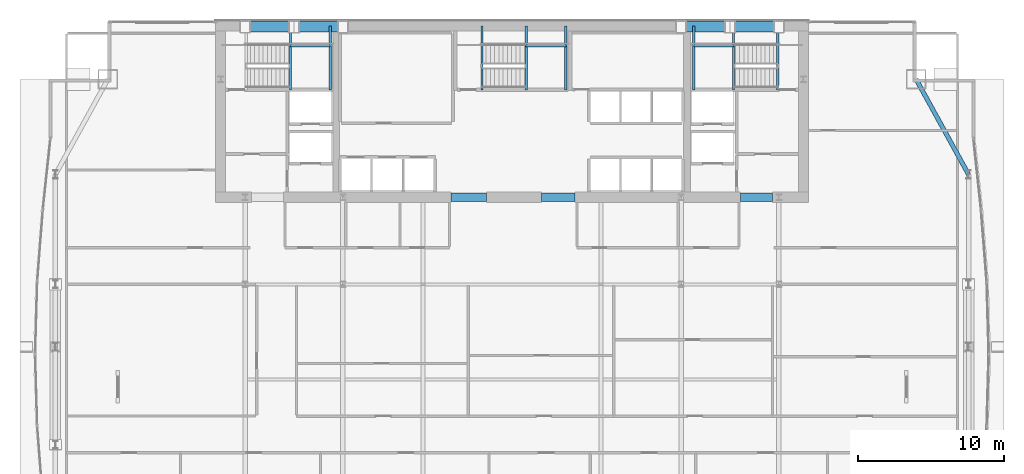
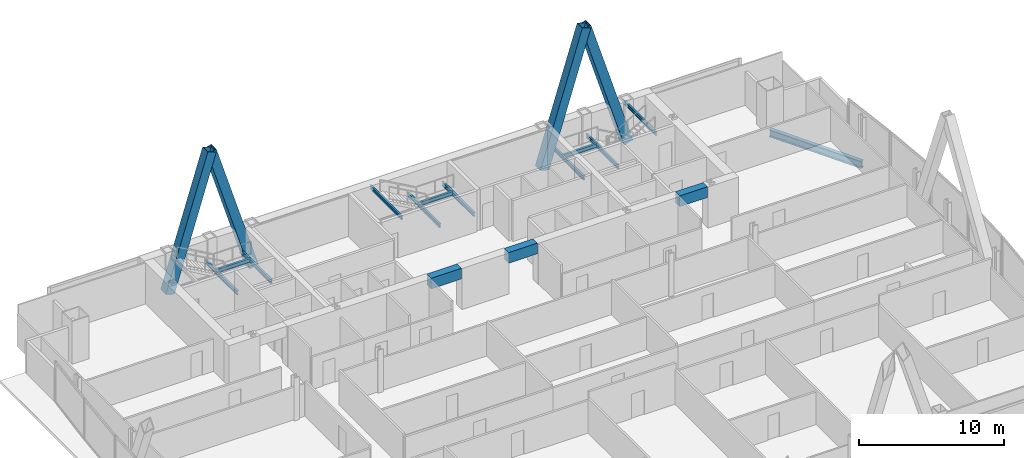
# One storey, part 18 of 30: 15 beams, 4 members.
"""IFC4 building model written with IfcOpenShell, lengths in metres."""

from ifc_helpers import new_model, si_unit, direction, frame, origin, origin_2d, place, context, subcontext, project, spatial, rectangle, hollow_rectangle, i_section, extrude, material, material_profile, profile_set, type_object, element, save


model = new_model("IFC4")

# Units and contexts
model_context = context("Model", 3, precision=1e-05, world=origin(), true_north=direction((0.0, 1.0)))
body_context = subcontext(model_context, "Body", "Model", "MODEL_VIEW")
ifc_project = project(units=[si_unit("LENGTHUNIT", "METRE"), si_unit("AREAUNIT", "SQUARE_METRE"), si_unit("VOLUMEUNIT", "CUBIC_METRE"), si_unit("PLANEANGLEUNIT", "RADIAN"), si_unit("MASSUNIT", "GRAM", prefix="KILO")], contexts=[model_context])

# Site, building, storey
site_placement = place(None, origin())
site = spatial("IfcSite", under=ifc_project, at=site_placement, CompositionType="ELEMENT")
building_placement = place(site_placement, origin())
building = spatial("IfcBuilding", under=site, at=building_placement, Name="Khoronbel Lancet Exchange", CompositionType="ELEMENT")
storey_placement = place(building_placement, frame((0.0, 0.0, 136.199951171875)))
storey = spatial("IfcBuildingStorey", under=building, at=storey_placement, Name="L33", CompositionType="ELEMENT", Elevation=136.199951171875)

# Beams
ifc_material_1 = material(Name="Steel S355", Category="steel")
ifc_material_profile_1 = material_profile(ifc_material_1, i_section(OverallWidth=0.159912109375, OverallDepth=0.330078125, WebThickness=0.007568359375, FlangeThickness=0.011474609375, at=origin_2d()), Name="IPE 330")
ifc_profile_set_1 = profile_set([ifc_material_profile_1], Name="Steel S355")
beam_type_1 = type_object("IfcBeamType", Name="BM-BJ7", PredefinedType="JOIST", material=ifc_profile_set_1)
for number, where, z_axis, x_axis, name in (
    (1, (21.320068359375, 48.97998046875, 1.43505859375), (0.0, 1.0, 0.0), (-1.0, 0.0, 0.0), "Level L33 stair ST1 landing bearer beam 1"),
    (2, (24.030029296875, 48.97998046875, 1.43505859375), (0.0, 1.0, 0.0), (-1.0, 0.0, 0.0), "Level L33 stair ST1 rear landing bearer beam 1"),
):
    element("IfcBeam", number, at=place(storey_placement, frame(where, z_axis=z_axis, x_axis=x_axis)), inside=storey, type_object=beam_type_1, Name=name, PredefinedType="JOIST", context=body_context, shape_type="SweptSolid", body=[
        extrude(i_section(OverallWidth=0.159912109375, OverallDepth=0.330078125, WebThickness=0.007568359375, FlangeThickness=0.011474609375, at=origin_2d()), origin(), (0.0, 0.0, 1.0), 4.3701171875),
    ])
beam_1_placement = place(storey_placement, frame((21.320068359375, 51.97998046875, 1.43505859375), z_axis=(1.0, 0.0, 0.0), x_axis=(0.0, 1.0, 0.0)))
element("IfcBeam", 3, at=beam_1_placement, inside=storey, type_object=beam_type_1, Name="Level L33 stair ST1 landing cross trimmer beam 1", PredefinedType="JOIST", context=body_context, shape_type="SweptSolid", body=[
    extrude(i_section(OverallWidth=0.159912109375, OverallDepth=0.330078125, WebThickness=0.007568359375, FlangeThickness=0.011474609375, at=origin_2d()), origin(), (0.0, 0.0, 1.0), 2.7099609375),
])
for number, where, z_axis, x_axis, name in (
    (4, (51.580078125, 48.97998046875, 1.43505859375), (0.0, 1.0, 0.0), (-1.0, 0.0, 0.0), "Level L33 stair ST2 landing bearer beam 1"),
    (5, (48.8701171875, 48.97998046875, 1.43505859375), (0.0, 1.0, 0.0), (-1.0, 0.0, 0.0), "Level L33 stair ST2 rear landing bearer beam 1"),
):
    element("IfcBeam", number, at=place(storey_placement, frame(where, z_axis=z_axis, x_axis=x_axis)), inside=storey, type_object=beam_type_1, Name=name, PredefinedType="JOIST", context=body_context, shape_type="SweptSolid", body=[
        extrude(i_section(OverallWidth=0.159912109375, OverallDepth=0.330078125, WebThickness=0.007568359375, FlangeThickness=0.011474609375, at=origin_2d()), origin(), (0.0, 0.0, 1.0), 4.3701171875),
    ])
beam_2_placement = place(storey_placement, frame((48.8701171875, 51.97998046875, 1.43505859375), z_axis=(1.0, 0.0, 0.0), x_axis=(0.0, 1.0, 0.0)))
element("IfcBeam", 6, at=beam_2_placement, inside=storey, type_object=beam_type_1, Name="Level L33 stair ST2 landing cross trimmer beam 1", PredefinedType="JOIST", context=body_context, shape_type="SweptSolid", body=[
    extrude(i_section(OverallWidth=0.159912109375, OverallDepth=0.330078125, WebThickness=0.007568359375, FlangeThickness=0.011474609375, at=origin_2d()), origin(), (0.0, 0.0, 1.0), 2.7099609375),
])
for number, where, z_axis, x_axis, name in (
    (7, (37.419921875, 48.97998046875, 1.43505859375), (0.0, 1.0, 0.0), (-1.0, 0.0, 0.0), "Level L33 stair ST3 landing bearer beam 1"),
    (8, (40.1298828125, 48.97998046875, 1.43505859375), (0.0, 1.0, 0.0), (-1.0, 0.0, 0.0), "Level L33 stair ST3 rear landing bearer beam 1"),
):
    element("IfcBeam", number, at=place(storey_placement, frame(where, z_axis=z_axis, x_axis=x_axis)), inside=storey, type_object=beam_type_1, Name=name, PredefinedType="JOIST", context=body_context, shape_type="SweptSolid", body=[
        extrude(i_section(OverallWidth=0.159912109375, OverallDepth=0.330078125, WebThickness=0.007568359375, FlangeThickness=0.011474609375, at=origin_2d()), origin(), (0.0, 0.0, 1.0), 4.3701171875),
    ])
beam_3_placement = place(storey_placement, frame((37.419921875, 51.97998046875, 1.43505859375), z_axis=(1.0, 0.0, 0.0), x_axis=(0.0, 1.0, 0.0)))
element("IfcBeam", 9, at=beam_3_placement, inside=storey, type_object=beam_type_1, Name="Level L33 stair ST3 landing cross trimmer beam 1", PredefinedType="JOIST", context=body_context, shape_type="SweptSolid", body=[
    extrude(i_section(OverallWidth=0.159912109375, OverallDepth=0.330078125, WebThickness=0.007568359375, FlangeThickness=0.011474609375, at=origin_2d()), origin(), (0.0, 0.0, 1.0), 2.7099609375),
])
ifc_material_profile_2 = material_profile(ifc_material_1, i_section(OverallWidth=0.14990234375, OverallDepth=0.300048828125, WebThickness=0.007080078125, FlangeThickness=0.0107421875, at=origin_2d()), Name="IPE 300")
ifc_profile_set_2 = profile_set([ifc_material_profile_2], Name="Steel S355")
beam_type_2 = type_object("IfcBeamType", Name="BM-BJ8", PredefinedType="JOIST", material=ifc_profile_set_2)
for number, where, z_axis, x_axis, name in (
    (10, (54.60009765625, 48.97998046875, 3.16015625), (0.0, 1.0, 0.0), (-1.0, 0.0, 0.0), "Level L33 stair ST2 upper-flight arrival trimmer beam"),
    (11, (34.39990234375, 48.97998046875, 3.16015625), (0.0, 1.0, 0.0), (-1.0, 0.0, 0.0), "Level L33 stair ST3 upper-flight arrival trimmer beam"),
):
    element("IfcBeam", number, at=place(storey_placement, frame(where, z_axis=z_axis, x_axis=x_axis)), inside=storey, type_object=beam_type_2, Name=name, PredefinedType="JOIST", context=body_context, shape_type="SweptSolid", body=[
        extrude(i_section(OverallWidth=0.14990234375, OverallDepth=0.300048828125, WebThickness=0.007080078125, FlangeThickness=0.0107421875, at=origin_2d()), origin(), (0.0, 0.0, 1.0), 4.3701171875),
    ])
ifc_material_2 = material(Name="Concrete C80/95", Category="concrete")
ifc_material_profile_3 = material_profile(ifc_material_2, rectangle(XDim=0.60009765625, YDim=0.89990234375, at=origin_2d()), Name="RC 600x900")
ifc_profile_set_3 = profile_set([ifc_material_profile_3], Name="Concrete C80/95")
beam_type_3 = type_object("IfcBeamType", Name="BM-BL1", PredefinedType="LINTEL", material=ifc_profile_set_3)
beam_4_placement = place(storey_placement, frame((32.300048828125, 41.64990234375, 2.989990234375), z_axis=(1.0, 0.0, 0.0), x_axis=(0.0, 1.0, 0.0)))
element("IfcBeam", 12, at=beam_4_placement, inside=storey, type_object=beam_type_3, Name="Level L33 rear core coupling lintel L2", PredefinedType="LINTEL", context=body_context, shape_type="SweptSolid", body=[
    extrude(rectangle(XDim=0.60009765625, YDim=0.89990234375, at=origin_2d()), origin(), (0.0, 0.0, 1.0), 2.39990234375),
])
beam_5_placement = place(storey_placement, frame((38.449951171875, 41.64990234375, 2.989990234375), z_axis=(1.0, 0.0, 0.0), x_axis=(0.0, 1.0, 0.0)))
element("IfcBeam", 13, at=beam_5_placement, inside=storey, type_object=beam_type_3, Name="Level L33 rear core coupling lintel L3", PredefinedType="LINTEL", context=body_context, shape_type="SweptSolid", body=[
    extrude(rectangle(XDim=0.60009765625, YDim=0.89990234375, at=origin_2d()), origin(), (0.0, 0.0, 1.0), 2.300048828125),
])
beam_6_placement = place(storey_placement, frame((52.050048828125, 41.64990234375, 2.989990234375), z_axis=(1.0, 0.0, 0.0), x_axis=(0.0, 1.0, 0.0)))
element("IfcBeam", 14, at=beam_6_placement, inside=storey, type_object=beam_type_3, Name="Level L33 rear core coupling lintel L4", PredefinedType="LINTEL", context=body_context, shape_type="SweptSolid", body=[
    extrude(rectangle(XDim=0.60009765625, YDim=0.89990234375, at=origin_2d()), origin(), (0.0, 0.0, 1.0), 2.199951171875),
])
ifc_material_profile_4 = material_profile(ifc_material_1, i_section(OverallWidth=0.300048828125, OverallDepth=0.60009765625, WebThickness=0.015380859375, FlangeThickness=0.030029296875, at=origin_2d()), Name="HEB 600")
ifc_profile_set_4 = profile_set([ifc_material_profile_4], Name="Steel S355")
beam_type_4 = type_object("IfcBeamType", Name="BM-BSP2", PredefinedType="SPANDREL", material=ifc_profile_set_4)
beam_7_placement = place(storey_placement, frame((67.6298828125, 43.199951171875, -0.4599609375), z_axis=(-0.482418808117, 0.875940690672, 0.0), x_axis=(-0.875940690672, -0.482418808117, 0.0)))
element("IfcBeam", 15, at=beam_7_placement, inside=storey, type_object=beam_type_4, Name="Level L33 perimeter spandrel beam SP13", PredefinedType="SPANDREL", context=body_context, shape_type="SweptSolid", body=[
    extrude(i_section(OverallWidth=0.300048828125, OverallDepth=0.60009765625, WebThickness=0.015380859375, FlangeThickness=0.030029296875, at=origin_2d()), origin(), (0.0, 0.0, 1.0), 7.420654296875),
])

# Members
ifc_material_3 = material(Name="Steel S460", Category="steel")
ifc_material_profile_5 = material_profile(ifc_material_3, hollow_rectangle(XDim=0.719970703125, YDim=0.719970703125, WallThickness=0.050048828125, at=origin_2d()), Name="BOX 720x720x50")
ifc_profile_set_5 = profile_set([ifc_material_profile_5], Name="Steel S460")
member_type = type_object("IfcMemberType", Name="MEM-MB2", PredefinedType="BRACE", material=ifc_profile_set_5)
for number, where, z_axis, x_axis, name in (
    (16, (18.22509765625, 53.280029296875, 0.0), (0.295242108906, 0.0, 0.955422470496), (0.0, 1.0, 0.0), "Perimeter lancet brace tier 11 N-W-L"),
    (17, (24.89990234375, 53.280029296875, 0.0), (-0.295242108906, 0.0, 0.955422470496), (0.0, -1.0, 0.0), "Perimeter lancet brace tier 11 N-W-R"),
    (18, (48.0, 53.280029296875, 0.0), (0.295242108906, 0.0, 0.955422470496), (0.0, 1.0, 0.0), "Perimeter lancet brace tier 11 N-E-L"),
    (19, (54.675048828125, 53.280029296875, 0.0), (-0.295261823895, 0.0, 0.955416378), (0.0, -1.0, 0.0), "Perimeter lancet brace tier 11 N-E-R"),
):
    element("IfcMember", number, at=place(storey_placement, frame(where, z_axis=z_axis, x_axis=x_axis)), inside=storey, type_object=member_type, Name=name, PredefinedType="BRACE", context=body_context, shape_type="SweptSolid", body=[
        extrude(hollow_rectangle(XDim=0.719970703125, YDim=0.719970703125, WallThickness=0.050048828125, at=origin_2d()), origin(), (0.0, 0.0, 1.0), 11.303955078125),
    ])

save(model, "model.ifc")
